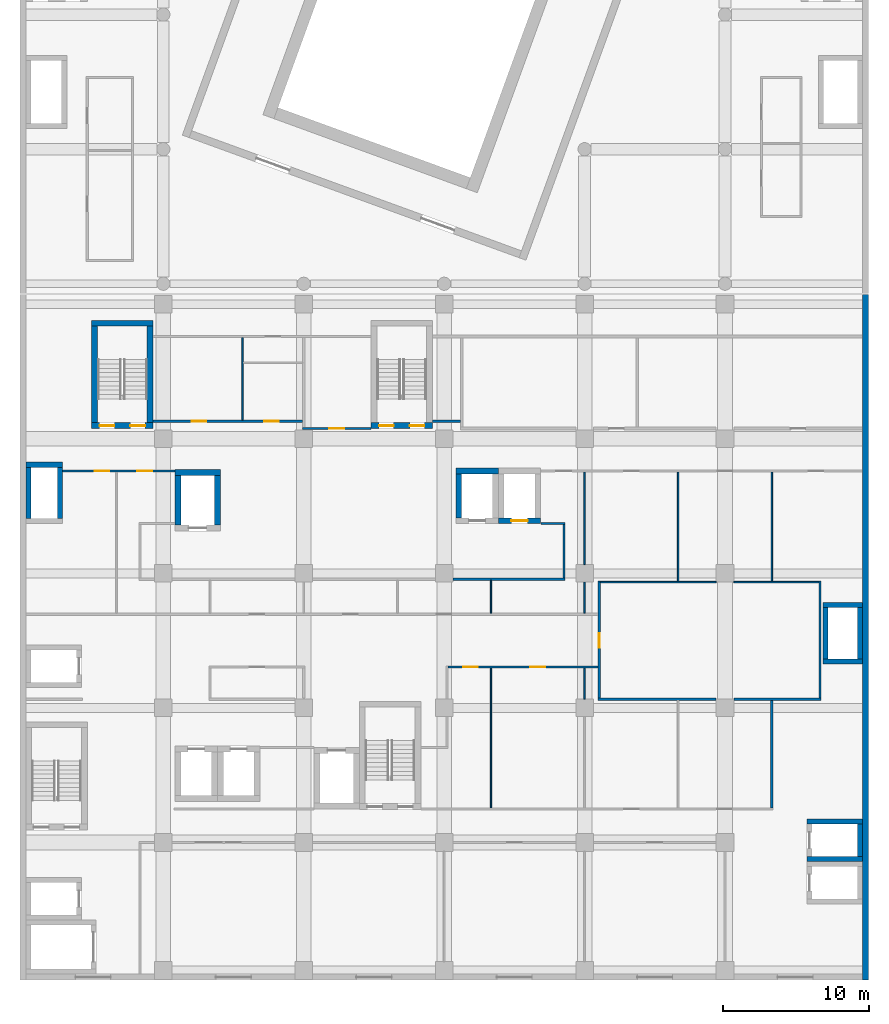
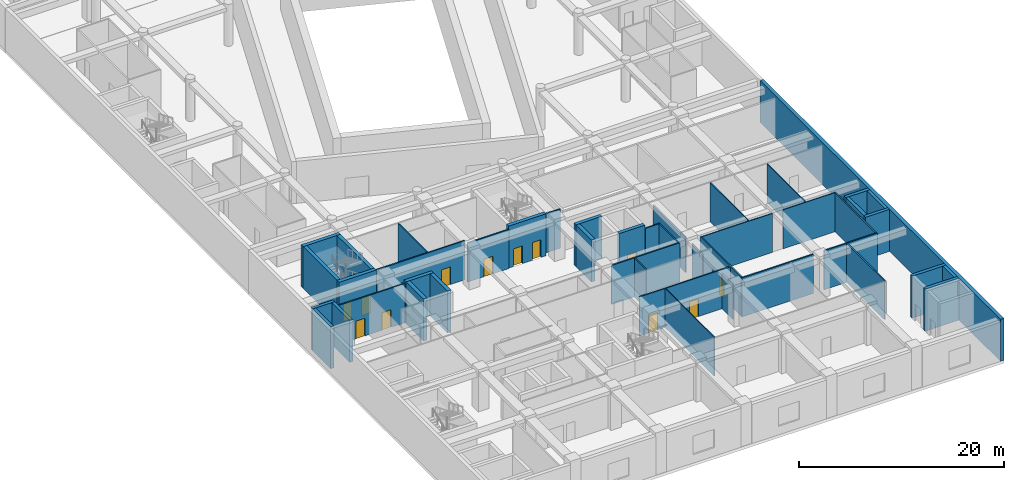
# One storey, part 11 of 31: 45 walls, 13 doors, 13 openings.
"""IFC4 building model written with IfcOpenShell, lengths in metres."""

import ifcopenshell
import ifcopenshell.guid

model = None  # the IFC model being written
_history = None  # IfcOwnerHistory: only IFC2X3 demands one
_inside = {}  # id of a spatial element -> (the spatial element, [elements in it])
_under = {}  # id of a project, library or spatial element -> (it, [spatial elements below it])
_declared = {}  # id of a project -> (the project, [libraries it declares])
_typed = {}  # id of a type object -> (the type object, [elements of that type])
_made_of = {}  # id of a material, layer set ... -> (it, [elements and type objects made of it])


def new_model(schema):
    """Start an empty IFC model of exactly this schema.

    Asked for "IFC4X3", IfcOpenShell would pick the latest addendum, in which some entities
    have other attributes; the version numbers below select the first issue.
    IFC2X3 requires an IfcOwnerHistory on every rooted entity: one is made here for all.
    """
    global model, _history
    if schema == "IFC4X3":
        model = ifcopenshell.file(schema_version=(4, 3, 0, 0))
    else:
        model = ifcopenshell.file(schema=schema)
    _inside.clear()
    _under.clear()
    _declared.clear()
    _typed.clear()
    _made_of.clear()
    _history = None
    if model.schema == "IFC2X3":
        org = make("IfcOrganization", Name="unknown")
        user = make(
            "IfcPersonAndOrganization",
            ThePerson=make("IfcPerson", FamilyName="unknown"),
            TheOrganization=org,
        )
        app = make(
            "IfcApplication",
            ApplicationDeveloper=org,
            Version="unknown",
            ApplicationFullName="unknown",
            ApplicationIdentifier="unknown",
        )
        _history = make(
            "IfcOwnerHistory",
            OwningUser=user,
            OwningApplication=app,
            ChangeAction="ADDED",
            CreationDate=0,
        )
    return model


def make(cls, **values):
    """One entity of the class cls with the attributes given. An attribute that is None is left unset."""
    return model.create_entity(
        cls, **{name: value for name, value in values.items() if value is not None}
    )


def rooted(cls, **values):
    """An entity with a GlobalId (a new one), such as an element, a storey or a relation."""
    return make(cls, GlobalId=ifcopenshell.guid.new(), OwnerHistory=_history, **values)


def si_unit(unit_type, name, prefix=None):
    """IfcSIUnit, for example si_unit("LENGTHUNIT", "METRE", prefix="MILLI")."""
    return make("IfcSIUnit", UnitType=unit_type, Prefix=prefix, Name=name)


def assignment(units):
    """IfcUnitAssignment: the units of a project."""
    return None if units is None else make("IfcUnitAssignment", Units=units)


def point(xyz):
    """IfcCartesianPoint."""
    return None if xyz is None else make("IfcCartesianPoint", Coordinates=xyz)


def direction(xyz):
    """IfcDirection."""
    return None if xyz is None else make("IfcDirection", DirectionRatios=xyz)


def frame(location, z_axis=None, x_axis=None):
    """IfcAxis2Placement3D, a coordinate frame: its origin and axes. An axis left out is left unset."""
    return make(
        "IfcAxis2Placement3D",
        Location=point(location),
        Axis=direction(z_axis),
        RefDirection=direction(x_axis),
    )


def frame_2d(location, x_axis=None):
    """IfcAxis2Placement2D, a coordinate frame in the plane: its origin and x axis."""
    return make(
        "IfcAxis2Placement2D", Location=point(location), RefDirection=direction(x_axis)
    )


def origin():
    """The frame at (0, 0, 0) with its axes left unset."""
    return frame((0.0, 0.0, 0.0))


def place(relative_to, where):
    """IfcLocalPlacement: puts the frame where relative to a parent placement (None: the world)."""
    return make(
        "IfcLocalPlacement", PlacementRelTo=relative_to, RelativePlacement=where
    )


def context(
    kind, dimensions, precision=None, world=None, true_north=None, identifier=None
):
    """IfcGeometricRepresentationContext, for example the 3D "Model" context."""
    return make(
        "IfcGeometricRepresentationContext",
        ContextIdentifier=identifier,
        ContextType=kind,
        CoordinateSpaceDimension=dimensions,
        Precision=precision,
        WorldCoordinateSystem=world,
        TrueNorth=true_north,
    )


def subcontext(parent, identifier, kind, view, scale=None):
    """IfcGeometricRepresentationSubContext, for example "Body" below "Model"."""
    return make(
        "IfcGeometricRepresentationSubContext",
        ContextIdentifier=identifier,
        ContextType=kind,
        ParentContext=parent,
        TargetScale=scale,
        TargetView=view,
    )


def project(units=None, contexts=None):
    """IfcProject with its units and contexts."""
    return rooted(
        "IfcProject",
        Name="project",
        RepresentationContexts=contexts,
        UnitsInContext=assignment(units),
    )


def spatial(cls, under=None, at=None, **own):
    """A site, building, storey or space (cls), placed at a placement, below another one or the project."""
    s = rooted(cls, ObjectPlacement=at, **own)
    if under is not None:
        _under.setdefault(under.id(), (under, []))[1].append(s)
    return s


def profile(cls, at=None, kind="AREA", **sizes):
    """A parametric profile (cls). Its sizes go by their IFC names, for example OverallWidth=200.0."""
    return make(cls, ProfileType=kind, Position=at, **sizes)


def rectangle(**sizes):
    """IfcRectangleProfileDef."""
    return profile("IfcRectangleProfileDef", **sizes)


def extrude(swept, where, along, depth):
    """IfcExtrudedAreaSolid: the profile swept, set in the frame where, extruded along a direction by depth."""
    return make(
        "IfcExtrudedAreaSolid",
        SweptArea=swept,
        Position=where,
        ExtrudedDirection=direction(along),
        Depth=depth,
    )


def shape(context_of_items, identifier, shape_type, items):
    """IfcShapeRepresentation: the items that make up one representation, for example the "Body"."""
    return make(
        "IfcShapeRepresentation",
        ContextOfItems=context_of_items,
        RepresentationIdentifier=identifier,
        RepresentationType=shape_type,
        Items=items,
    )


def material(Name=None, Category=None):
    """IfcMaterial."""
    return make("IfcMaterial", Name=Name, Category=Category)


def layer(
    of_material, thickness, ventilated=None, Name=None, Category=None, Priority=None
):
    """IfcMaterialLayer: one layer of a wall or slab, of a material (None: an air gap)."""
    return make(
        "IfcMaterialLayer",
        Material=of_material,
        LayerThickness=thickness,
        IsVentilated=ventilated,
        Name=Name,
        Category=Category,
        Priority=Priority,
    )


def layer_set(layers, Name=None):
    """IfcMaterialLayerSet."""
    return make("IfcMaterialLayerSet", MaterialLayers=layers, LayerSetName=Name)


def made_of(thing, what):
    """Note that an element or type object is made of a material, layer set ...; save() writes the relation."""
    if what is not None:
        _made_of.setdefault(what.id(), (what, []))[1].append(thing)
    return thing


def type_object(cls, material=None, **own):
    """A type object (cls), such as IfcWallType, which elements share."""
    return made_of(rooted(cls, **own), material)


def element(
    cls,
    number,
    at=None,
    inside=None,
    cuts=None,
    type_object=None,
    material=None,
    context=None,
    identifier="Body",
    shape_type=None,
    held_by="IfcProductDefinitionShape",
    body=None,
    shapes=None,
    **own,
):
    """One element of the class cls, such as IfcWall. Its Tag is "e" and its number.

    at: its placement. inside: the storey or other place that contains it. cuts: it is an
    opening in that element (IfcRelVoidsElement). A single representation is given by context,
    identifier, shape_type and body (its items); several are given by shapes. held_by: the class
    of the entity that holds the representations. save() writes the other relations.
    """
    e = rooted(cls, Tag="e%d" % number, ObjectPlacement=at, **own)
    if body is not None:
        shapes = [shape(context, identifier, shape_type, body)]
    if shapes is not None:
        e.Representation = make(held_by, Representations=shapes)
    if inside is not None:
        _inside.setdefault(inside.id(), (inside, []))[1].append(e)
    if cuts is not None:
        rooted(
            "IfcRelVoidsElement", RelatingBuildingElement=cuts, RelatedOpeningElement=e
        )
    if type_object is not None:
        _typed.setdefault(type_object.id(), (type_object, []))[1].append(e)
    return made_of(e, material)


def fill(opening, filler):
    """IfcRelFillsElement: the door or window that sits in an opening."""
    return rooted(
        "IfcRelFillsElement",
        RelatingOpeningElement=opening,
        RelatedBuildingElement=filler,
    )


def aggregate(whole, parts):
    """IfcRelAggregates: a whole, such as a stair, and the parts it consists of."""
    return rooted("IfcRelAggregates", RelatingObject=whole, RelatedObjects=parts)


def save(model, path):
    """Write the relations noted so far, then the file.

    IfcRelAggregates (storeys below a building ...), IfcRelContainedInSpatialStructure (elements
    in a storey), IfcRelDefinesByType, IfcRelAssociatesMaterial and IfcRelDeclares: one each for
    every whole, place, type object, material and project.
    """
    for whole, parts in _under.values():
        aggregate(whole, parts)
    for where, things in _inside.values():
        rooted(
            "IfcRelContainedInSpatialStructure",
            RelatedElements=things,
            RelatingStructure=where,
        )
    for kind, things in _typed.values():
        rooted("IfcRelDefinesByType", RelatedObjects=things, RelatingType=kind)
    for what, things in _made_of.values():
        rooted("IfcRelAssociatesMaterial", RelatedObjects=things, RelatingMaterial=what)
    for by, libraries in _declared.values():
        rooted("IfcRelDeclares", RelatingContext=by, RelatedDefinitions=libraries)
    model.write(path)


model = new_model("IFC4")

# Units and contexts
model_context = context("Model", 3, precision=1e-05, world=origin(), true_north=direction((0.0, 1.0)))
body_context = subcontext(model_context, "Body", "Model", "MODEL_VIEW")
ifc_project = project(units=[si_unit("LENGTHUNIT", "METRE"), si_unit("AREAUNIT", "SQUARE_METRE"), si_unit("VOLUMEUNIT", "CUBIC_METRE"), si_unit("PLANEANGLEUNIT", "RADIAN"), si_unit("MASSUNIT", "GRAM", prefix="KILO")], contexts=[model_context])

# Site, building, storey
site_placement = place(None, origin())
site = spatial("IfcSite", under=ifc_project, at=site_placement, CompositionType="ELEMENT")
building_placement = place(site_placement, origin())
building = spatial("IfcBuilding", under=site, at=building_placement, Name="Nzadi Deep Aquarium and Research Tower", CompositionType="ELEMENT")
storey_placement = place(building_placement, frame((0.0, 0.0, 21.699951171875)))
storey = spatial("IfcBuildingStorey", under=building, at=storey_placement, Name="L03", CompositionType="ELEMENT", Elevation=21.699951171875)

# Walls
ifc_material_1 = material(Name="Blockwork masonry", Category="masonry")
ifc_layer_1 = layer(ifc_material_1, 0.10009765625)
ifc_layer_set_1 = layer_set([ifc_layer_1], Name="Blockwork masonry")
wall_type_1 = type_object("IfcWallType", Name="Partition 100 EI 30", PredefinedType="PARTITIONING", material=ifc_layer_set_1)
wall_1_placement = place(storey_placement, frame((15.0, 38.074951171875, 0.0), z_axis=(0.0, 0.0, 1.0), x_axis=(0.0, 1.0, 0.0)))
element("IfcWall", 1, at=wall_1_placement, inside=storey, type_object=wall_type_1, Name="W-Z1-L03-P019", PredefinedType="PARTITIONING", context=body_context, shape_type="SweptSolid", body=[
    extrude(rectangle(XDim=5.650146484375, YDim=0.10009765625, at=frame_2d((2.8251953125, 0.0))), origin(), (0.0, 0.0, 1.0), 4.650146484375),
])
wall_2_placement = place(storey_placement, frame((32.0, 11.574951171875, 0.0), z_axis=(0.0, 0.0, 1.0), x_axis=(0.0, 1.0, 0.0)))
element("IfcWall", 2, at=wall_2_placement, inside=storey, type_object=wall_type_1, Name="W-Z1-L03-P041", PredefinedType="PARTITIONING", context=body_context, shape_type="SweptSolid", body=[
    extrude(rectangle(XDim=9.550048828125, YDim=0.10009765625, at=frame_2d((4.77490234375, 0.0))), origin(), (0.0, 0.0, 1.0), 4.650146484375),
])
wall_3_placement = place(storey_placement, frame((32.0, 24.875, 0.0), z_axis=(0.0, 0.0, 1.0), x_axis=(0.0, 1.0, 0.0)))
element("IfcWall", 3, at=wall_3_placement, inside=storey, type_object=wall_type_1, Name="W-Z1-L03-P042", PredefinedType="PARTITIONING", context=body_context, shape_type="SweptSolid", body=[
    extrude(rectangle(XDim=2.25, YDim=0.10009765625, at=frame_2d((1.125, 0.0))), origin(), (0.0, 0.0, 1.0), 4.650146484375),
])
wall_4_placement = place(storey_placement, frame((39.47509765625, 27.0, 0.0), z_axis=(0.0, 0.0, 1.0), x_axis=(1.0, 0.0, 0.0)))
element("IfcWall", 4, at=wall_4_placement, inside=storey, type_object=wall_type_1, Name="W-Z1-L03-P055", PredefinedType="PARTITIONING", context=body_context, shape_type="SweptSolid", body=[
    extrude(rectangle(XDim=7.9248046875, YDim=0.10009765625, at=frame_2d((3.96240234375, 0.0))), origin(), (0.0, 0.0, 1.0), 4.650146484375),
])
wall_5_placement = place(storey_placement, frame((44.800048828125, 27.050048828125, 0.0), z_axis=(0.0, 0.0, 1.0), x_axis=(0.0, 1.0, 0.0)))
element("IfcWall", 5, at=wall_5_placement, inside=storey, type_object=wall_type_1, Name="W-Z1-L03-P058", PredefinedType="PARTITIONING", context=body_context, shape_type="SweptSolid", body=[
    extrude(rectangle(XDim=7.474853515625, YDim=0.10009765625, at=frame_2d((3.7373046875, 0.0))), origin(), (0.0, 0.0, 1.0), 4.650146484375),
])
wall_6_placement = place(storey_placement, frame((48.60009765625, 27.0, 0.0), z_axis=(0.0, 0.0, 1.0), x_axis=(1.0, 0.0, 0.0)))
element("IfcWall", 6, at=wall_6_placement, inside=storey, type_object=wall_type_1, Name="W-Z1-L03-P061", PredefinedType="PARTITIONING", context=body_context, shape_type="SweptSolid", body=[
    extrude(rectangle(XDim=5.824951171875, YDim=0.10009765625, at=frame_2d((2.91259765625, 0.0))), origin(), (0.0, 0.0, 1.0), 4.650146484375),
])
wall_7_placement = place(storey_placement, frame((51.199951171875, 27.050048828125, 0.0), z_axis=(0.0, 0.0, 1.0), x_axis=(0.0, 1.0, 0.0)))
element("IfcWall", 7, at=wall_7_placement, inside=storey, type_object=wall_type_1, Name="W-Z1-L03-P064", PredefinedType="PARTITIONING", context=body_context, shape_type="SweptSolid", body=[
    extrude(rectangle(XDim=7.474853515625, YDim=0.10009765625, at=frame_2d((3.7373046875, 0.0))), origin(), (0.0, 0.0, 1.0), 4.650146484375),
])
ifc_material_2 = material(Name="Blockwork masonry", Category="masonry")
ifc_layer_2 = layer(ifc_material_2, 0.10009765625)
ifc_layer_set_2 = layer_set([ifc_layer_2], Name="Blockwork masonry")
wall_type_2 = type_object("IfcWallType", Name="Partition 100 EI 30, 4.25 m high", PredefinedType="PARTITIONING", material=ifc_layer_set_2)
for number, where, z_axis, x_axis, name in (
    (8, (38.39990234375, 19.0, 0.0), (0.0, 0.0, 1.0), (0.0, 1.0, 0.0), "W-Z1-L03-P048"),
    (9, (38.39990234375, 24.875, 0.0), (0.0, 0.0, 1.0), (0.0, 1.0, 0.0), "W-Z1-L03-P049"),
):
    element("IfcWall", number, at=place(storey_placement, frame(where, z_axis=z_axis, x_axis=x_axis)), inside=storey, type_object=wall_type_2, Name=name, PredefinedType="PARTITIONING", context=body_context, shape_type="SweptSolid", body=[
        extrude(rectangle(XDim=2.125, YDim=0.10009765625, at=frame_2d((1.0625, 0.0))), origin(), (0.0, 0.0, 1.0), 4.25),
    ])
wall_8_placement = place(storey_placement, frame((38.39990234375, 28.199951171875, 0.0), z_axis=(0.0, 0.0, 1.0), x_axis=(0.0, 1.0, 0.0)))
element("IfcWall", 10, at=wall_8_placement, inside=storey, type_object=wall_type_2, Name="W-Z1-L03-P050", PredefinedType="PARTITIONING", context=body_context, shape_type="SweptSolid", body=[
    extrude(rectangle(XDim=6.324951171875, YDim=0.10009765625, at=frame_2d((3.16259765625, 0.0))), origin(), (0.0, 0.0, 1.0), 4.25),
])

# Wall, openings, doors
ifc_material_3 = material(Name="Blockwork masonry", Category="masonry")
ifc_layer_3 = layer(ifc_material_3, 0.14990234375)
ifc_layer_set_3 = layer_set([ifc_layer_3], Name="Blockwork masonry")
wall_type_3 = type_object("IfcWallType", Name="Partition 150 EI 60", PredefinedType="PARTITIONING", material=ifc_layer_set_3)
wall_9_placement = place(storey_placement, frame((2.7060546875, 34.60009765625, 0.0), z_axis=(0.0, 0.0, 1.0), x_axis=(1.0, 0.0, 0.0)))
wall_9 = element("IfcWall", 11, at=wall_9_placement, inside=storey, type_object=wall_type_3, Name="W-Z1-L03-P003", PredefinedType="PARTITIONING", context=body_context, shape_type="SweptSolid", body=[
    extrude(rectangle(XDim=7.68798828125, YDim=0.14990234375, at=frame_2d((3.843994140625, 0.0))), origin(), (0.0, 0.0, 1.0), 4.650146484375),
])
opening_1_placement = place(wall_9_placement, frame((2.194091796875, 0.0, 0.0)))
opening_1 = element("IfcOpeningElement", 12, at=opening_1_placement, cuts=wall_9, Name="Opening D041006", PredefinedType="OPENING", context=body_context, shape_type="SweptSolid", body=[
    extrude(rectangle(XDim=1.0, YDim=2.10009765625, at=frame_2d((0.5, 1.050048828125))), frame((0.0, 0.0849609375, 0.0), z_axis=(0.0, -1.0, 0.0), x_axis=(1.0, 0.0, 0.0)), (0.0, 0.0, 1.0), 0.169921875),
])
opening_2_placement = place(wall_9_placement, frame((5.118896484375, 0.0, 0.0)))
opening_2 = element("IfcOpeningElement", 13, at=opening_2_placement, cuts=wall_9, Name="Opening D041007", PredefinedType="OPENING", context=body_context, shape_type="SweptSolid", body=[
    extrude(rectangle(XDim=1.0, YDim=2.10009765625, at=frame_2d((0.5, 1.050048828125))), frame((0.0, 0.0849609375, 0.0), z_axis=(0.0, -1.0, 0.0), x_axis=(1.0, 0.0, 0.0)), (0.0, 0.0, 1.0), 0.169921875),
])
ifc_material_4 = material(Name="Fire-rated steel door", Category="steel")
ifc_layer_4 = layer(ifc_material_4, 0.050048828125)
ifc_layer_set_4 = layer_set([ifc_layer_4], Name="Fire-rated steel door")
door_type_1 = type_object("IfcDoorType", Name="Door 1000x2100 EI 60 single", OperationType="SINGLE_SWING_LEFT", PredefinedType="DOOR", material=ifc_layer_set_4)
door_1_placement = place(opening_1_placement, origin())
door_1 = element("IfcDoor", 14, at=door_1_placement, inside=storey, type_object=door_type_1, Name="D041006", OperationType="SINGLE_SWING_RIGHT", OverallHeight=2.10009765625, OverallWidth=1.0, PredefinedType="DOOR", context=body_context, shape_type="SweptSolid", body=[
    extrude(rectangle(XDim=1.0, YDim=2.10009765625, at=frame_2d((0.5, 1.050048828125))), frame((0.0, 0.02490234375, 0.0), z_axis=(0.0, -1.0, 0.0), x_axis=(1.0, 0.0, 0.0)), (0.0, 0.0, 1.0), 0.050048828125),
])
fill(opening_1, door_1)
door_2_placement = place(opening_2_placement, origin())
door_2 = element("IfcDoor", 15, at=door_2_placement, inside=storey, type_object=door_type_1, Name="D041007", OperationType="SINGLE_SWING_LEFT", OverallHeight=2.10009765625, OverallWidth=1.0, PredefinedType="DOOR", context=body_context, shape_type="SweptSolid", body=[
    extrude(rectangle(XDim=1.0, YDim=2.10009765625, at=frame_2d((0.5, 1.050048828125))), frame((0.0, 0.02490234375, 0.0), z_axis=(0.0, -1.0, 0.0), x_axis=(1.0, 0.0, 0.0)), (0.0, 0.0, 1.0), 0.050048828125),
])
fill(opening_2, door_2)

wall_10_placement = place(storey_placement, frame((8.906005859375, 38.0, 0.0), z_axis=(0.0, 0.0, 1.0), x_axis=(1.0, 0.0, 0.0)))
wall_10 = element("IfcWall", 16, at=wall_10_placement, inside=storey, type_object=wall_type_3, Name="W-Z1-L03-P010", PredefinedType="PARTITIONING", context=body_context, shape_type="SweptSolid", body=[
    extrude(rectangle(XDim=10.218994140625, YDim=0.14990234375, at=frame_2d((5.109375, 0.0))), origin(), (0.0, 0.0, 1.0), 4.650146484375),
])
opening_3_placement = place(wall_10_placement, frame((2.6201171875, 0.0, 0.0)))
opening_3 = element("IfcOpeningElement", 17, at=opening_3_placement, cuts=wall_10, Name="Opening D041022", PredefinedType="OPENING", context=body_context, shape_type="SweptSolid", body=[
    extrude(rectangle(XDim=1.0, YDim=2.10009765625, at=frame_2d((0.5, 1.050048828125))), frame((0.0, 0.0849609375, 0.0), z_axis=(0.0, -1.0, 0.0), x_axis=(1.0, 0.0, 0.0)), (0.0, 0.0, 1.0), 0.169921875),
])
opening_4_placement = place(wall_10_placement, frame((7.583984375, 0.0, 0.0)))
opening_4 = element("IfcOpeningElement", 18, at=opening_4_placement, cuts=wall_10, Name="Opening D041023", PredefinedType="OPENING", context=body_context, shape_type="SweptSolid", body=[
    extrude(rectangle(XDim=1.0, YDim=2.10009765625, at=frame_2d((0.5, 1.050048828125))), frame((0.0, 0.0849609375, 0.0), z_axis=(0.0, -1.0, 0.0), x_axis=(1.0, 0.0, 0.0)), (0.0, 0.0, 1.0), 0.169921875),
])
door_3_placement = place(opening_3_placement, origin())
door_3 = element("IfcDoor", 19, at=door_3_placement, inside=storey, type_object=door_type_1, Name="D041022", OperationType="SINGLE_SWING_LEFT", OverallHeight=2.10009765625, OverallWidth=1.0, PredefinedType="DOOR", context=body_context, shape_type="SweptSolid", body=[
    extrude(rectangle(XDim=1.0, YDim=2.10009765625, at=frame_2d((0.5, 1.050048828125))), frame((0.0, 0.02490234375, 0.0), z_axis=(0.0, -1.0, 0.0), x_axis=(1.0, 0.0, 0.0)), (0.0, 0.0, 1.0), 0.050048828125),
])
fill(opening_3, door_3)
door_4_placement = place(opening_4_placement, origin())
door_4 = element("IfcDoor", 20, at=door_4_placement, inside=storey, type_object=door_type_1, Name="D041023", OperationType="SINGLE_SWING_RIGHT", OverallHeight=2.10009765625, OverallWidth=1.0, PredefinedType="DOOR", context=body_context, shape_type="SweptSolid", body=[
    extrude(rectangle(XDim=1.0, YDim=2.10009765625, at=frame_2d((0.5, 1.050048828125))), frame((0.0, 0.02490234375, 0.0), z_axis=(0.0, -1.0, 0.0), x_axis=(1.0, 0.0, 0.0)), (0.0, 0.0, 1.0), 0.050048828125),
])
fill(opening_4, door_4)

# Wall, opening, door
wall_11_placement = place(storey_placement, frame((19.125, 37.5, 0.0), z_axis=(0.0, 0.0, 1.0), x_axis=(1.0, 0.0, 0.0)))
wall_11 = element("IfcWall", 21, at=wall_11_placement, inside=storey, type_object=wall_type_3, Name="W-Z1-L03-P023", PredefinedType="PARTITIONING", context=body_context, shape_type="SweptSolid", body=[
    extrude(rectangle(XDim=4.6689453125, YDim=0.14990234375, at=frame_2d((2.33447265625, 0.0))), origin(), (0.0, 0.0, 1.0), 4.650146484375),
])
opening_5_placement = place(wall_11_placement, frame((1.833984375, 0.0, 0.0)))
opening_5 = element("IfcOpeningElement", 22, at=opening_5_placement, cuts=wall_11, Name="Opening D041021", PredefinedType="OPENING", context=body_context, shape_type="SweptSolid", body=[
    extrude(rectangle(XDim=1.0, YDim=2.10009765625, at=frame_2d((0.5, 1.050048828125))), frame((0.0, 0.0849609375, 0.0), z_axis=(0.0, -1.0, 0.0), x_axis=(1.0, 0.0, 0.0)), (0.0, 0.0, 1.0), 0.169921875),
])
door_5_placement = place(opening_5_placement, origin())
door_5 = element("IfcDoor", 23, at=door_5_placement, inside=storey, type_object=door_type_1, Name="D041021", OperationType="SINGLE_SWING_LEFT", OverallHeight=2.10009765625, OverallWidth=1.0, PredefinedType="DOOR", context=body_context, shape_type="SweptSolid", body=[
    extrude(rectangle(XDim=1.0, YDim=2.10009765625, at=frame_2d((0.5, 1.050048828125))), frame((0.0, 0.02490234375, 0.0), z_axis=(0.0, -1.0, 0.0), x_axis=(1.0, 0.0, 0.0)), (0.0, 0.0, 1.0), 0.050048828125),
])
fill(opening_5, door_5)

# Wall
wall_12_placement = place(storey_placement, frame((28.006103515625, 38.0, 0.0), z_axis=(0.0, 0.0, 1.0), x_axis=(1.0, 0.0, 0.0)))
element("IfcWall", 24, at=wall_12_placement, inside=storey, type_object=wall_type_3, Name="W-Z1-L03-P031", PredefinedType="PARTITIONING", context=body_context, shape_type="SweptSolid", body=[
    extrude(rectangle(XDim=1.893798828125, YDim=0.14990234375, at=frame_2d((0.94677734375, 0.0))), origin(), (0.0, 0.0, 1.0), 4.650146484375),
])

# Wall, openings, doors
wall_13_placement = place(storey_placement, frame((29.074951171875, 21.199951171875, 0.0), z_axis=(0.0, 0.0, 1.0), x_axis=(1.0, 0.0, 0.0)))
wall_13 = element("IfcWall", 25, at=wall_13_placement, inside=storey, type_object=wall_type_3, Name="W-Z1-L03-P036", PredefinedType="PARTITIONING", context=body_context, shape_type="SweptSolid", body=[
    extrude(rectangle(XDim=10.25, YDim=0.14990234375, at=frame_2d((5.125, 0.0))), origin(), (0.0, 0.0, 1.0), 4.650146484375),
])
opening_6_placement = place(wall_13_placement, frame((1.034912109375, 0.0, 0.0)))
opening_6 = element("IfcOpeningElement", 26, at=opening_6_placement, cuts=wall_13, Name="Opening D041002", PredefinedType="OPENING", context=body_context, shape_type="SweptSolid", body=[
    extrude(rectangle(XDim=1.0, YDim=2.10009765625, at=frame_2d((0.5, 1.050048828125))), frame((0.0, 0.0849609375, 0.0), z_axis=(0.0, -1.0, 0.0), x_axis=(1.0, 0.0, 0.0)), (0.0, 0.0, 1.0), 0.169921875),
])
opening_7_placement = place(wall_13_placement, frame((5.625, 0.0, 0.0)))
opening_7 = element("IfcOpeningElement", 27, at=opening_7_placement, cuts=wall_13, Name="Opening D041003", PredefinedType="OPENING", context=body_context, shape_type="SweptSolid", body=[
    extrude(rectangle(XDim=1.0, YDim=2.10009765625, at=frame_2d((0.5, 1.050048828125))), frame((0.0, 0.0849609375, 0.0), z_axis=(0.0, -1.0, 0.0), x_axis=(1.0, 0.0, 0.0)), (0.0, 0.0, 1.0), 0.169921875),
])
door_6_placement = place(opening_6_placement, origin())
door_6 = element("IfcDoor", 28, at=door_6_placement, inside=storey, type_object=door_type_1, Name="D041002", OperationType="SINGLE_SWING_RIGHT", OverallHeight=2.10009765625, OverallWidth=1.0, PredefinedType="DOOR", context=body_context, shape_type="SweptSolid", body=[
    extrude(rectangle(XDim=1.0, YDim=2.10009765625, at=frame_2d((0.5, 1.050048828125))), frame((0.0, 0.02490234375, 0.0), z_axis=(0.0, -1.0, 0.0), x_axis=(1.0, 0.0, 0.0)), (0.0, 0.0, 1.0), 0.050048828125),
])
fill(opening_6, door_6)
door_7_placement = place(opening_7_placement, origin())
door_7 = element("IfcDoor", 29, at=door_7_placement, inside=storey, type_object=door_type_1, Name="D041003", OperationType="SINGLE_SWING_LEFT", OverallHeight=2.10009765625, OverallWidth=1.0, PredefinedType="DOOR", context=body_context, shape_type="SweptSolid", body=[
    extrude(rectangle(XDim=1.0, YDim=2.10009765625, at=frame_2d((0.5, 1.050048828125))), frame((0.0, 0.02490234375, 0.0), z_axis=(0.0, -1.0, 0.0), x_axis=(1.0, 0.0, 0.0)), (0.0, 0.0, 1.0), 0.050048828125),
])
fill(opening_7, door_7)

# Walls
wall_14_placement = place(storey_placement, frame((29.39990234375, 27.199951171875, 0.0), z_axis=(0.0, 0.0, 1.0), x_axis=(1.0, 0.0, 0.0)))
element("IfcWall", 30, at=wall_14_placement, inside=storey, type_object=wall_type_3, Name="W-Z1-L03-P038", PredefinedType="PARTITIONING", context=body_context, shape_type="SweptSolid", body=[
    extrude(rectangle(XDim=7.675048828125, YDim=0.14990234375, at=frame_2d((3.83740234375, 0.0))), origin(), (0.0, 0.0, 1.0), 4.650146484375),
])
wall_15_placement = place(storey_placement, frame((35.406005859375, 31.0, 0.0), z_axis=(0.0, 0.0, 1.0), x_axis=(1.0, 0.0, 0.0)))
element("IfcWall", 31, at=wall_15_placement, inside=storey, type_object=wall_type_3, Name="W-Z1-L03-P043", PredefinedType="PARTITIONING", context=body_context, shape_type="SweptSolid", body=[
    extrude(rectangle(XDim=1.6689453125, YDim=0.14990234375, at=frame_2d((0.83447265625, 0.0))), origin(), (0.0, 0.0, 1.0), 4.650146484375),
])
wall_16_placement = place(storey_placement, frame((37.0, 27.27490234375, 0.0), z_axis=(0.0, 0.0, 1.0), x_axis=(0.0, 1.0, 0.0)))
element("IfcWall", 32, at=wall_16_placement, inside=storey, type_object=wall_type_3, Name="W-Z1-L03-P045", PredefinedType="PARTITIONING", context=body_context, shape_type="SweptSolid", body=[
    extrude(rectangle(XDim=3.650146484375, YDim=0.14990234375, at=frame_2d((1.8251953125, 0.0))), origin(), (0.0, 0.0, 1.0), 4.650146484375),
])
wall_17_placement = place(storey_placement, frame((39.324951171875, 19.0, 0.0), z_axis=(0.0, 0.0, 1.0), x_axis=(1.0, 0.0, 0.0)))
element("IfcWall", 33, at=wall_17_placement, inside=storey, type_object=wall_type_3, Name="W-Z1-L03-P053", PredefinedType="PARTITIONING", context=body_context, shape_type="SweptSolid", body=[
    extrude(rectangle(XDim=8.074951171875, YDim=0.14990234375, at=frame_2d((4.03759765625, 0.0))), origin(), (0.0, 0.0, 1.0), 4.650146484375),
])

# Wall, opening, door
wall_18_placement = place(storey_placement, frame((39.39990234375, 19.074951171875, 0.0), z_axis=(0.0, 0.0, 1.0), x_axis=(0.0, 1.0, 0.0)))
wall_18 = element("IfcWall", 34, at=wall_18_placement, inside=storey, type_object=wall_type_3, Name="W-Z1-L03-P054", PredefinedType="PARTITIONING", context=body_context, shape_type="SweptSolid", body=[
    extrude(rectangle(XDim=8.0, YDim=0.14990234375, at=frame_2d((4.0, 0.0))), origin(), (0.0, 0.0, 1.0), 4.650146484375),
])
opening_8_placement = place(wall_18_placement, frame((3.425048828125, 0.0, 0.0)))
opening_8 = element("IfcOpeningElement", 35, at=opening_8_placement, cuts=wall_18, Name="Opening D041020", PredefinedType="OPENING", context=body_context, shape_type="SweptSolid", body=[
    extrude(rectangle(XDim=1.0, YDim=2.10009765625, at=frame_2d((0.5, 1.050048828125))), frame((0.0, 0.0849609375, 0.0), z_axis=(0.0, -1.0, 0.0), x_axis=(1.0, 0.0, 0.0)), (0.0, 0.0, 1.0), 0.169921875),
])
door_8_placement = place(opening_8_placement, origin())
door_8 = element("IfcDoor", 36, at=door_8_placement, inside=storey, type_object=door_type_1, Name="D041020", OperationType="SINGLE_SWING_LEFT", OverallHeight=2.10009765625, OverallWidth=1.0, PredefinedType="DOOR", context=body_context, shape_type="SweptSolid", body=[
    extrude(rectangle(XDim=1.0, YDim=2.10009765625, at=frame_2d((0.5, 1.050048828125))), frame((0.0, 0.02490234375, 0.0), z_axis=(0.0, -1.0, 0.0), x_axis=(1.0, 0.0, 0.0)), (0.0, 0.0, 1.0), 0.050048828125),
])
fill(opening_8, door_8)

# Walls
wall_19_placement = place(storey_placement, frame((48.60009765625, 19.0, 0.0), z_axis=(0.0, 0.0, 1.0), x_axis=(1.0, 0.0, 0.0)))
element("IfcWall", 37, at=wall_19_placement, inside=storey, type_object=wall_type_3, Name="W-Z1-L03-P060", PredefinedType="PARTITIONING", context=body_context, shape_type="SweptSolid", body=[
    extrude(rectangle(XDim=5.974853515625, YDim=0.14990234375, at=frame_2d((2.9873046875, 0.0))), origin(), (0.0, 0.0, 1.0), 4.650146484375),
])
wall_20_placement = place(storey_placement, frame((51.199951171875, 11.574951171875, 0.0), z_axis=(0.0, 0.0, 1.0), x_axis=(0.0, 1.0, 0.0)))
element("IfcWall", 38, at=wall_20_placement, inside=storey, type_object=wall_type_3, Name="W-Z1-L03-P063", PredefinedType="PARTITIONING", context=body_context, shape_type="SweptSolid", body=[
    extrude(rectangle(XDim=7.35009765625, YDim=0.14990234375, at=frame_2d((3.675048828125, 0.0))), origin(), (0.0, 0.0, 1.0), 4.650146484375),
])
wall_21_placement = place(storey_placement, frame((54.5, 19.074951171875, 0.0), z_axis=(0.0, 0.0, 1.0), x_axis=(0.0, 1.0, 0.0)))
element("IfcWall", 39, at=wall_21_placement, inside=storey, type_object=wall_type_3, Name="W-Z1-L03-P065", PredefinedType="PARTITIONING", context=body_context, shape_type="SweptSolid", body=[
    extrude(rectangle(XDim=8.0, YDim=0.14990234375, at=frame_2d((4.0, 0.0))), origin(), (0.0, 0.0, 1.0), 4.650146484375),
])
ifc_material_5 = material(Name="Concrete C35/45", Category="concrete")
ifc_layer_5 = layer(ifc_material_5, 0.35009765625)
ifc_layer_set_5 = layer_set([ifc_layer_5], Name="Concrete C35/45")
wall_type_4 = type_object("IfcWallType", Name="RC core wall 350", PredefinedType="SHEAR", material=ifc_layer_set_5)
for number, where, z_axis, x_axis, name in (
    (40, (53.60009765625, 8.074951171875, 0.0), (0.0, 0.0, 1.0), (1.0, 0.0, 0.0), "W-CORE-PL2-L03-S"),
    (41, (53.60009765625, 10.625, 0.0), (0.0, 0.0, 1.0), (1.0, 0.0, 0.0), "W-CORE-PL2-L03-N"),
):
    element("IfcWall", number, at=place(storey_placement, frame(where, z_axis=z_axis, x_axis=x_axis)), inside=storey, type_object=wall_type_4, Name=name, PredefinedType="SHEAR", context=body_context, shape_type="SweptSolid", body=[
        extrude(rectangle(XDim=3.7998046875, YDim=0.35009765625, at=frame_2d((1.89990234375, 0.0))), origin(), (0.0, 0.0, 1.0), 5.0),
    ])
wall_22_placement = place(storey_placement, frame((57.22509765625, 8.25, 0.0), z_axis=(0.0, 0.0, 1.0), x_axis=(0.0, 1.0, 0.0)))
element("IfcWall", 42, at=wall_22_placement, inside=storey, type_object=wall_type_4, Name="W-CORE-PL2-L03-E", PredefinedType="SHEAR", context=body_context, shape_type="SweptSolid", body=[
    extrude(rectangle(XDim=2.199951171875, YDim=0.35009765625, at=frame_2d((1.10009765625, 0.0))), origin(), (0.0, 0.0, 1.0), 5.0),
])
wall_23_placement = place(storey_placement, frame((0.199951171875, 35.02490234375, 0.0), z_axis=(0.0, 0.0, 1.0), x_axis=(1.0, 0.0, 0.0)))
element("IfcWall", 43, at=wall_23_placement, inside=storey, type_object=wall_type_4, Name="W-CORE-RS-Z1-W-L03-N", PredefinedType="SHEAR", context=body_context, shape_type="SweptSolid", body=[
    extrude(rectangle(XDim=2.5, YDim=0.35009765625, at=frame_2d((1.25, 0.0))), origin(), (0.0, 0.0, 1.0), 5.0),
])
for number, where, z_axis, x_axis, name in (
    (44, (0.375, 31.35009765625, 0.0), (0.0, 0.0, 1.0), (0.0, 1.0, 0.0), "W-CORE-RS-Z1-W-L03-W"),
    (45, (2.52490234375, 31.35009765625, 0.0), (0.0, 0.0, 1.0), (0.0, 1.0, 0.0), "W-CORE-RS-Z1-W-L03-E"),
):
    element("IfcWall", number, at=place(storey_placement, frame(where, z_axis=z_axis, x_axis=x_axis)), inside=storey, type_object=wall_type_4, Name=name, PredefinedType="SHEAR", context=body_context, shape_type="SweptSolid", body=[
        extrude(rectangle(XDim=3.5, YDim=0.35009765625, at=frame_2d((1.75, 0.0))), origin(), (0.0, 0.0, 1.0), 5.0),
    ])
for number, where, z_axis, x_axis, name in (
    (46, (54.699951171875, 21.574951171875, 0.0), (0.0, 0.0, 1.0), (1.0, 0.0, 0.0), "W-CORE-RS-Z1-E-L03-S"),
    (47, (54.699951171875, 25.425048828125, 0.0), (0.0, 0.0, 1.0), (1.0, 0.0, 0.0), "W-CORE-RS-Z1-E-L03-N"),
):
    element("IfcWall", number, at=place(storey_placement, frame(where, z_axis=z_axis, x_axis=x_axis)), inside=storey, type_object=wall_type_4, Name=name, PredefinedType="SHEAR", context=body_context, shape_type="SweptSolid", body=[
        extrude(rectangle(XDim=2.699951171875, YDim=0.35009765625, at=frame_2d((1.35009765625, 0.0))), origin(), (0.0, 0.0, 1.0), 5.0),
    ])
for number, where, z_axis, x_axis, name in (
    (48, (54.875, 21.75, 0.0), (0.0, 0.0, 1.0), (0.0, 1.0, 0.0), "W-CORE-RS-Z1-E-L03-W"),
    (49, (57.22509765625, 21.75, 0.0), (0.0, 0.0, 1.0), (0.0, 1.0, 0.0), "W-CORE-RS-Z1-E-L03-E"),
):
    element("IfcWall", number, at=place(storey_placement, frame(where, z_axis=z_axis, x_axis=x_axis)), inside=storey, type_object=wall_type_4, Name=name, PredefinedType="SHEAR", context=body_context, shape_type="SweptSolid", body=[
        extrude(rectangle(XDim=3.5, YDim=0.35009765625, at=frame_2d((1.75, 0.0))), origin(), (0.0, 0.0, 1.0), 5.0),
    ])

# Wall, openings, doors
ifc_material_6 = material(Name="Concrete C35/45", Category="concrete")
ifc_layer_6 = layer(ifc_material_6, 0.39990234375)
ifc_layer_set_6 = layer_set([ifc_layer_6], Name="Concrete C35/45")
wall_type_5 = type_object("IfcWallType", Name="RC core wall 400", PredefinedType="SHEAR", material=ifc_layer_set_6)
wall_24_placement = place(storey_placement, frame((4.699951171875, 37.699951171875, 0.0), z_axis=(0.0, 0.0, 1.0), x_axis=(1.0, 0.0, 0.0)))
wall_24 = element("IfcWall", 50, at=wall_24_placement, inside=storey, type_object=wall_type_5, Name="W-CORE-ST-Z1-NW-L03-S", PredefinedType="SHEAR", context=body_context, shape_type="SweptSolid", body=[
    extrude(rectangle(XDim=4.199951171875, YDim=0.39990234375, at=frame_2d((2.10009765625, 0.0))), origin(), (0.0, 0.0, 1.0), 5.0),
])
opening_9_placement = place(wall_24_placement, frame((0.550048828125, 0.0, 0.0)))
opening_9 = element("IfcOpeningElement", 51, at=opening_9_placement, cuts=wall_24, Name="Opening DS-Z1-NW-L03A", PredefinedType="OPENING", context=body_context, shape_type="SweptSolid", body=[
    extrude(rectangle(XDim=1.0, YDim=2.10009765625, at=frame_2d((0.5, 1.050048828125))), frame((0.0, 0.2099609375, 0.0), z_axis=(0.0, -1.0, 0.0), x_axis=(1.0, 0.0, 0.0)), (0.0, 0.0, 1.0), 0.419921875),
])
opening_10_placement = place(wall_24_placement, frame((2.64990234375, 0.0, 0.0)))
opening_10 = element("IfcOpeningElement", 52, at=opening_10_placement, cuts=wall_24, Name="Opening DS-Z1-NW-L03B", PredefinedType="OPENING", context=body_context, shape_type="SweptSolid", body=[
    extrude(rectangle(XDim=1.0, YDim=2.10009765625, at=frame_2d((0.5, 1.050048828125))), frame((0.0, 0.2099609375, 0.0), z_axis=(0.0, -1.0, 0.0), x_axis=(1.0, 0.0, 0.0)), (0.0, 0.0, 1.0), 0.419921875),
])
ifc_material_7 = material(Name="Steel, powder coated", Category="steel")
door_type_2 = type_object("IfcDoorType", Name="STAIR DOOR 1000x2100 EI 60", OperationType="SINGLE_SWING_LEFT", PredefinedType="DOOR", material=ifc_material_7)
door_9_placement = place(opening_9_placement, origin())
door_9 = element("IfcDoor", 53, at=door_9_placement, inside=storey, type_object=door_type_2, Name="Stair door ST-Z1-NW L03 A", OperationType="SINGLE_SWING_RIGHT", OverallHeight=2.10009765625, OverallWidth=1.0, PredefinedType="DOOR", context=body_context, shape_type="SweptSolid", body=[
    extrude(rectangle(XDim=1.0, YDim=2.10009765625, at=frame_2d((0.5, 1.050048828125))), frame((0.0, 0.02490234375, 0.0), z_axis=(0.0, -1.0, 0.0), x_axis=(1.0, 0.0, 0.0)), (0.0, 0.0, 1.0), 0.050048828125),
])
fill(opening_9, door_9)
door_10_placement = place(opening_10_placement, origin())
door_10 = element("IfcDoor", 54, at=door_10_placement, inside=storey, type_object=door_type_2, Name="Stair door ST-Z1-NW L03 B", OperationType="SINGLE_SWING_LEFT", OverallHeight=2.10009765625, OverallWidth=1.0, PredefinedType="DOOR", context=body_context, shape_type="SweptSolid", body=[
    extrude(rectangle(XDim=1.0, YDim=2.10009765625, at=frame_2d((0.5, 1.050048828125))), frame((0.0, 0.02490234375, 0.0), z_axis=(0.0, -1.0, 0.0), x_axis=(1.0, 0.0, 0.0)), (0.0, 0.0, 1.0), 0.050048828125),
])
fill(opening_10, door_10)

# Walls
wall_25_placement = place(storey_placement, frame((4.699951171875, 44.699951171875, 0.0), z_axis=(0.0, 0.0, 1.0), x_axis=(1.0, 0.0, 0.0)))
element("IfcWall", 55, at=wall_25_placement, inside=storey, type_object=wall_type_5, Name="W-CORE-ST-Z1-NW-L03-N", PredefinedType="SHEAR", context=body_context, shape_type="SweptSolid", body=[
    extrude(rectangle(XDim=4.199951171875, YDim=0.39990234375, at=frame_2d((2.10009765625, 0.0))), origin(), (0.0, 0.0, 1.0), 5.0),
])
for number, where, z_axis, x_axis, name in (
    (56, (4.89990234375, 37.89990234375, 0.0), (0.0, 0.0, 1.0), (0.0, 1.0, 0.0), "W-CORE-ST-Z1-NW-L03-W"),
    (57, (8.699951171875, 37.89990234375, 0.0), (0.0, 0.0, 1.0), (0.0, 1.0, 0.0), "W-CORE-ST-Z1-NW-L03-E"),
):
    element("IfcWall", number, at=place(storey_placement, frame(where, z_axis=z_axis, x_axis=x_axis)), inside=storey, type_object=wall_type_5, Name=name, PredefinedType="SHEAR", context=body_context, shape_type="SweptSolid", body=[
        extrude(rectangle(XDim=6.60009765625, YDim=0.39990234375, at=frame_2d((3.300048828125, 0.0))), origin(), (0.0, 0.0, 1.0), 5.0),
    ])

# Wall, openings, doors
wall_26_placement = place(storey_placement, frame((23.800048828125, 37.699951171875, 0.0), z_axis=(0.0, 0.0, 1.0), x_axis=(1.0, 0.0, 0.0)))
wall_26 = element("IfcWall", 58, at=wall_26_placement, inside=storey, type_object=wall_type_5, Name="W-CORE-ST-Z1-NE-L03-S", PredefinedType="SHEAR", context=body_context, shape_type="SweptSolid", body=[
    extrude(rectangle(XDim=4.199951171875, YDim=0.39990234375, at=frame_2d((2.10009765625, 0.0))), origin(), (0.0, 0.0, 1.0), 5.0),
])
opening_11_placement = place(wall_26_placement, frame((0.550048828125, 0.0, 0.0)))
opening_11 = element("IfcOpeningElement", 59, at=opening_11_placement, cuts=wall_26, Name="Opening DS-Z1-NE-L03A", PredefinedType="OPENING", context=body_context, shape_type="SweptSolid", body=[
    extrude(rectangle(XDim=1.0, YDim=2.10009765625, at=frame_2d((0.5, 1.050048828125))), frame((0.0, 0.2099609375, 0.0), z_axis=(0.0, -1.0, 0.0), x_axis=(1.0, 0.0, 0.0)), (0.0, 0.0, 1.0), 0.419921875),
])
opening_12_placement = place(wall_26_placement, frame((2.64990234375, 0.0, 0.0)))
opening_12 = element("IfcOpeningElement", 60, at=opening_12_placement, cuts=wall_26, Name="Opening DS-Z1-NE-L03B", PredefinedType="OPENING", context=body_context, shape_type="SweptSolid", body=[
    extrude(rectangle(XDim=1.0, YDim=2.10009765625, at=frame_2d((0.5, 1.050048828125))), frame((0.0, 0.2099609375, 0.0), z_axis=(0.0, -1.0, 0.0), x_axis=(1.0, 0.0, 0.0)), (0.0, 0.0, 1.0), 0.419921875),
])
door_11_placement = place(opening_11_placement, origin())
door_11 = element("IfcDoor", 61, at=door_11_placement, inside=storey, type_object=door_type_2, Name="Stair door ST-Z1-NE L03 A", OperationType="SINGLE_SWING_RIGHT", OverallHeight=2.10009765625, OverallWidth=1.0, PredefinedType="DOOR", context=body_context, shape_type="SweptSolid", body=[
    extrude(rectangle(XDim=1.0, YDim=2.10009765625, at=frame_2d((0.5, 1.050048828125))), frame((0.0, 0.02490234375, 0.0), z_axis=(0.0, -1.0, 0.0), x_axis=(1.0, 0.0, 0.0)), (0.0, 0.0, 1.0), 0.050048828125),
])
fill(opening_11, door_11)
door_12_placement = place(opening_12_placement, origin())
door_12 = element("IfcDoor", 62, at=door_12_placement, inside=storey, type_object=door_type_2, Name="Stair door ST-Z1-NE L03 B", OperationType="SINGLE_SWING_LEFT", OverallHeight=2.10009765625, OverallWidth=1.0, PredefinedType="DOOR", context=body_context, shape_type="SweptSolid", body=[
    extrude(rectangle(XDim=1.0, YDim=2.10009765625, at=frame_2d((0.5, 1.050048828125))), frame((0.0, 0.02490234375, 0.0), z_axis=(0.0, -1.0, 0.0), x_axis=(1.0, 0.0, 0.0)), (0.0, 0.0, 1.0), 0.050048828125),
])
fill(opening_12, door_12)

# Walls
wall_27_placement = place(storey_placement, frame((10.39990234375, 34.5, 0.0), z_axis=(0.0, 0.0, 1.0), x_axis=(1.0, 0.0, 0.0)))
element("IfcWall", 63, at=wall_27_placement, inside=storey, type_object=wall_type_5, Name="W-CORE-FL2-L03-N", PredefinedType="SHEAR", context=body_context, shape_type="SweptSolid", body=[
    extrude(rectangle(XDim=3.10009765625, YDim=0.39990234375, at=frame_2d((1.550048828125, 0.0))), origin(), (0.0, 0.0, 1.0), 5.0),
])
for number, where, z_axis, x_axis, name in (
    (64, (10.60009765625, 30.89990234375, 0.0), (0.0, 0.0, 1.0), (0.0, 1.0, 0.0), "W-CORE-FL2-L03-W"),
    (65, (13.300048828125, 30.89990234375, 0.0), (0.0, 0.0, 1.0), (0.0, 1.0, 0.0), "W-CORE-FL2-L03-E"),
):
    element("IfcWall", number, at=place(storey_placement, frame(where, z_axis=z_axis, x_axis=x_axis)), inside=storey, type_object=wall_type_5, Name=name, PredefinedType="SHEAR", context=body_context, shape_type="SweptSolid", body=[
        extrude(rectangle(XDim=3.400146484375, YDim=0.39990234375, at=frame_2d((1.7001953125, 0.0))), origin(), (0.0, 0.0, 1.0), 5.0),
    ])
wall_28_placement = place(storey_placement, frame((29.60009765625, 34.60009765625, 0.0), z_axis=(0.0, 0.0, 1.0), x_axis=(1.0, 0.0, 0.0)))
element("IfcWall", 66, at=wall_28_placement, inside=storey, type_object=wall_type_5, Name="W-CORE-TL3-L03-N", PredefinedType="SHEAR", context=body_context, shape_type="SweptSolid", body=[
    extrude(rectangle(XDim=2.89990234375, YDim=0.39990234375, at=frame_2d((1.449951171875, 0.0))), origin(), (0.0, 0.0, 1.0), 5.0),
])
wall_29_placement = place(storey_placement, frame((29.800048828125, 31.39990234375, 0.0), z_axis=(0.0, 0.0, 1.0), x_axis=(0.0, 1.0, 0.0)))
element("IfcWall", 67, at=wall_29_placement, inside=storey, type_object=wall_type_5, Name="W-CORE-TL3-L03-W", PredefinedType="SHEAR", context=body_context, shape_type="SweptSolid", body=[
    extrude(rectangle(XDim=3.0, YDim=0.39990234375, at=frame_2d((1.5, 0.0))), origin(), (0.0, 0.0, 1.0), 5.0),
])

# Wall, opening, door
wall_30_placement = place(storey_placement, frame((32.5, 31.199951171875, 0.0), z_axis=(0.0, 0.0, 1.0), x_axis=(1.0, 0.0, 0.0)))
wall_30 = element("IfcWall", 68, at=wall_30_placement, inside=storey, type_object=wall_type_5, Name="W-CORE-TL4-L03-S", PredefinedType="SHEAR", context=body_context, shape_type="SweptSolid", body=[
    extrude(rectangle(XDim=2.89990234375, YDim=0.39990234375, at=frame_2d((1.449951171875, 0.0))), origin(), (0.0, 0.0, 1.0), 5.0),
])
opening_13_placement = place(wall_30_placement, frame((0.89990234375, 0.0, 0.0)))
opening_13 = element("IfcOpeningElement", 69, at=opening_13_placement, cuts=wall_30, Name="Opening LD-TL4-L03", PredefinedType="OPENING", context=body_context, shape_type="SweptSolid", body=[
    extrude(rectangle(XDim=1.10009765625, YDim=2.10009765625, at=frame_2d((0.550048828125, 1.050048828125))), frame((0.0, 0.2099609375, 0.0), z_axis=(0.0, -1.0, 0.0), x_axis=(1.0, 0.0, 0.0)), (0.0, 0.0, 1.0), 0.419921875),
])
ifc_material_8 = material(Name="Stainless steel 1.4301", Category="steel")
door_type_3 = type_object("IfcDoorType", Name="LANDING DOOR 1100x2100", OperationType="DOUBLE_DOOR_SLIDING", PredefinedType="DOOR", material=ifc_material_8)
door_13_placement = place(opening_13_placement, origin())
door_13 = element("IfcDoor", 70, at=door_13_placement, inside=storey, type_object=door_type_3, Name="Landing door TL4 L03", OperationType="DOUBLE_DOOR_SLIDING", OverallHeight=2.10009765625, OverallWidth=1.10009765625, PredefinedType="DOOR", context=body_context, shape_type="SweptSolid", body=[
    extrude(rectangle(XDim=1.10009765625, YDim=2.10009765625, at=frame_2d((0.550048828125, 1.050048828125))), frame((0.0, 0.02490234375, 0.0), z_axis=(0.0, -1.0, 0.0), x_axis=(1.0, 0.0, 0.0)), (0.0, 0.0, 1.0), 0.050048828125),
])
fill(opening_13, door_13)

# Wall
ifc_material_9 = material(Name="Concrete C35/45", Category="concrete")
ifc_layer_7 = layer(ifc_material_9, 0.39990234375)
ifc_layer_set_7 = layer_set([ifc_layer_7], Name="Concrete C35/45")
wall_type_6 = type_object("IfcWallType", Name="RC party wall 400", PredefinedType="SHEAR", material=ifc_layer_set_7)
wall_31_placement = place(storey_placement, frame((57.599609375, -0.199951171875, 0.0), z_axis=(0.0, 0.0, 1.0), x_axis=(0.0, 1.0, 0.0)))
element("IfcWall", 71, at=wall_31_placement, inside=storey, type_object=wall_type_6, Name="W-PTY-Z1-L03-E", PredefinedType="SHEAR", context=body_context, shape_type="SweptSolid", body=[
    extrude(rectangle(XDim=46.8798828125, YDim=0.39990234375, at=frame_2d((23.43994140625, 0.0))), origin(), (0.0, 0.0, 1.0), 5.0),
])

save(model, "model.ifc")
